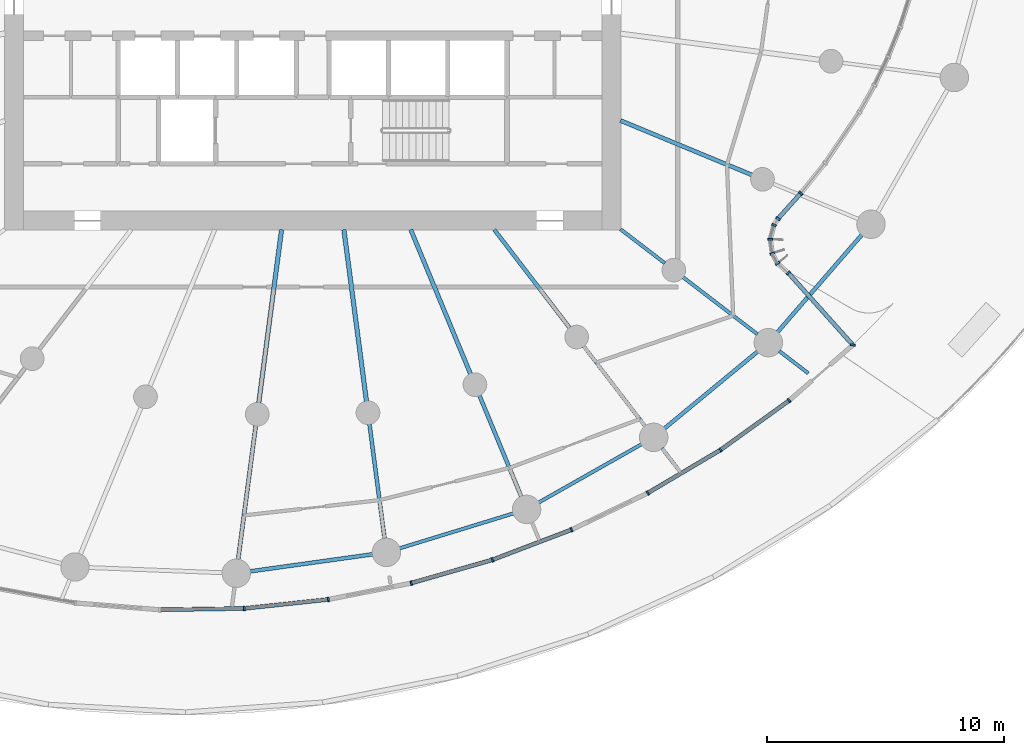
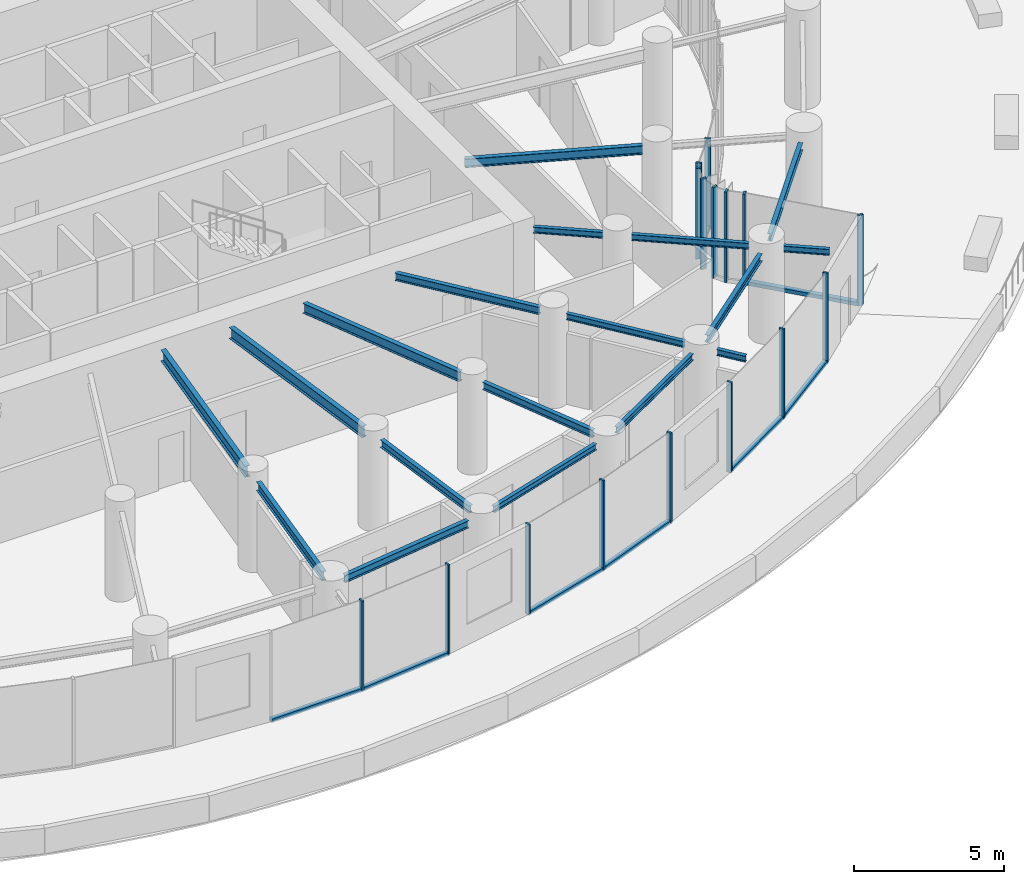
# One storey, part 3 of 24: 24 members, 18 beams, 4 elements without a shape of their own.
"""IFC4 building model written with IfcOpenShell, lengths in metres."""

import ifcopenshell
import ifcopenshell.guid

model = None  # the IFC model being written
_history = None  # IfcOwnerHistory: only IFC2X3 demands one
_inside = {}  # id of a spatial element -> (the spatial element, [elements in it])
_under = {}  # id of a project, library or spatial element -> (it, [spatial elements below it])
_declared = {}  # id of a project -> (the project, [libraries it declares])
_typed = {}  # id of a type object -> (the type object, [elements of that type])
_made_of = {}  # id of a material, layer set ... -> (it, [elements and type objects made of it])


def new_model(schema):
    """Start an empty IFC model of exactly this schema.

    Asked for "IFC4X3", IfcOpenShell would pick the latest addendum, in which some entities
    have other attributes; the version numbers below select the first issue.
    IFC2X3 requires an IfcOwnerHistory on every rooted entity: one is made here for all.
    """
    global model, _history
    if schema == "IFC4X3":
        model = ifcopenshell.file(schema_version=(4, 3, 0, 0))
    else:
        model = ifcopenshell.file(schema=schema)
    _inside.clear()
    _under.clear()
    _declared.clear()
    _typed.clear()
    _made_of.clear()
    _history = None
    if model.schema == "IFC2X3":
        org = make("IfcOrganization", Name="unknown")
        user = make(
            "IfcPersonAndOrganization",
            ThePerson=make("IfcPerson", FamilyName="unknown"),
            TheOrganization=org,
        )
        app = make(
            "IfcApplication",
            ApplicationDeveloper=org,
            Version="unknown",
            ApplicationFullName="unknown",
            ApplicationIdentifier="unknown",
        )
        _history = make(
            "IfcOwnerHistory",
            OwningUser=user,
            OwningApplication=app,
            ChangeAction="ADDED",
            CreationDate=0,
        )
    return model


def make(cls, **values):
    """One entity of the class cls with the attributes given. An attribute that is None is left unset."""
    return model.create_entity(
        cls, **{name: value for name, value in values.items() if value is not None}
    )


def rooted(cls, **values):
    """An entity with a GlobalId (a new one), such as an element, a storey or a relation."""
    return make(cls, GlobalId=ifcopenshell.guid.new(), OwnerHistory=_history, **values)


def si_unit(unit_type, name, prefix=None):
    """IfcSIUnit, for example si_unit("LENGTHUNIT", "METRE", prefix="MILLI")."""
    return make("IfcSIUnit", UnitType=unit_type, Prefix=prefix, Name=name)


def assignment(units):
    """IfcUnitAssignment: the units of a project."""
    return None if units is None else make("IfcUnitAssignment", Units=units)


def point(xyz):
    """IfcCartesianPoint."""
    return None if xyz is None else make("IfcCartesianPoint", Coordinates=xyz)


def direction(xyz):
    """IfcDirection."""
    return None if xyz is None else make("IfcDirection", DirectionRatios=xyz)


def frame(location, z_axis=None, x_axis=None):
    """IfcAxis2Placement3D, a coordinate frame: its origin and axes. An axis left out is left unset."""
    return make(
        "IfcAxis2Placement3D",
        Location=point(location),
        Axis=direction(z_axis),
        RefDirection=direction(x_axis),
    )


def frame_2d(location, x_axis=None):
    """IfcAxis2Placement2D, a coordinate frame in the plane: its origin and x axis."""
    return make(
        "IfcAxis2Placement2D", Location=point(location), RefDirection=direction(x_axis)
    )


def origin():
    """The frame at (0, 0, 0) with its axes left unset."""
    return frame((0.0, 0.0, 0.0))


def origin_2d():
    """The frame at (0, 0) in the plane with its x axis left unset."""
    return frame_2d((0.0, 0.0))


def place(relative_to, where):
    """IfcLocalPlacement: puts the frame where relative to a parent placement (None: the world)."""
    return make(
        "IfcLocalPlacement", PlacementRelTo=relative_to, RelativePlacement=where
    )


def context(
    kind, dimensions, precision=None, world=None, true_north=None, identifier=None
):
    """IfcGeometricRepresentationContext, for example the 3D "Model" context."""
    return make(
        "IfcGeometricRepresentationContext",
        ContextIdentifier=identifier,
        ContextType=kind,
        CoordinateSpaceDimension=dimensions,
        Precision=precision,
        WorldCoordinateSystem=world,
        TrueNorth=true_north,
    )


def subcontext(parent, identifier, kind, view, scale=None):
    """IfcGeometricRepresentationSubContext, for example "Body" below "Model"."""
    return make(
        "IfcGeometricRepresentationSubContext",
        ContextIdentifier=identifier,
        ContextType=kind,
        ParentContext=parent,
        TargetScale=scale,
        TargetView=view,
    )


def project(units=None, contexts=None):
    """IfcProject with its units and contexts."""
    return rooted(
        "IfcProject",
        Name="project",
        RepresentationContexts=contexts,
        UnitsInContext=assignment(units),
    )


def spatial(cls, under=None, at=None, **own):
    """A site, building, storey or space (cls), placed at a placement, below another one or the project."""
    s = rooted(cls, ObjectPlacement=at, **own)
    if under is not None:
        _under.setdefault(under.id(), (under, []))[1].append(s)
    return s


def profile(cls, at=None, kind="AREA", **sizes):
    """A parametric profile (cls). Its sizes go by their IFC names, for example OverallWidth=200.0."""
    return make(cls, ProfileType=kind, Position=at, **sizes)


def rectangle(**sizes):
    """IfcRectangleProfileDef."""
    return profile("IfcRectangleProfileDef", **sizes)


def i_section(**sizes):
    """IfcIShapeProfileDef."""
    return profile("IfcIShapeProfileDef", **sizes)


def extrude(swept, where, along, depth):
    """IfcExtrudedAreaSolid: the profile swept, set in the frame where, extruded along a direction by depth."""
    return make(
        "IfcExtrudedAreaSolid",
        SweptArea=swept,
        Position=where,
        ExtrudedDirection=direction(along),
        Depth=depth,
    )


def shape(context_of_items, identifier, shape_type, items):
    """IfcShapeRepresentation: the items that make up one representation, for example the "Body"."""
    return make(
        "IfcShapeRepresentation",
        ContextOfItems=context_of_items,
        RepresentationIdentifier=identifier,
        RepresentationType=shape_type,
        Items=items,
    )


def source(mapping_origin, context_of_items, identifier, shape_type, items):
    """IfcRepresentationMap: a shape defined once, which mapped items show again and again."""
    return make(
        "IfcRepresentationMap",
        MappingOrigin=mapping_origin,
        MappedRepresentation=shape(context_of_items, identifier, shape_type, items),
    )


def transform(
    local_origin,
    x_axis=None,
    y_axis=None,
    z_axis=None,
    scale=None,
    scale2=None,
    scale3=None,
    uniform=True,
):
    """IfcCartesianTransformationOperator3D, or its non-uniform kind. x_axis, y_axis, z_axis: its Axis1, 2, 3."""
    if uniform:
        return make(
            "IfcCartesianTransformationOperator3D",
            Axis1=direction(x_axis),
            Axis2=direction(y_axis),
            LocalOrigin=point(local_origin),
            Scale=scale,
            Axis3=direction(z_axis),
        )
    return make(
        "IfcCartesianTransformationOperator3DnonUniform",
        Axis1=direction(x_axis),
        Axis2=direction(y_axis),
        LocalOrigin=point(local_origin),
        Scale=scale,
        Axis3=direction(z_axis),
        Scale2=scale2,
        Scale3=scale3,
    )


def mapped(mapping_source, mapping_target):
    """IfcMappedItem: shows the shape of a source again, moved by a transform."""
    return make(
        "IfcMappedItem", MappingSource=mapping_source, MappingTarget=mapping_target
    )


def material(Name=None, Category=None):
    """IfcMaterial."""
    return make("IfcMaterial", Name=Name, Category=Category)


def layer(
    of_material, thickness, ventilated=None, Name=None, Category=None, Priority=None
):
    """IfcMaterialLayer: one layer of a wall or slab, of a material (None: an air gap)."""
    return make(
        "IfcMaterialLayer",
        Material=of_material,
        LayerThickness=thickness,
        IsVentilated=ventilated,
        Name=Name,
        Category=Category,
        Priority=Priority,
    )


def layer_set(layers, Name=None):
    """IfcMaterialLayerSet."""
    return make("IfcMaterialLayerSet", MaterialLayers=layers, LayerSetName=Name)


def material_profile(
    of_material, cross_section, Name=None, Category=None, Priority=None
):
    """IfcMaterialProfile: a cross section and its material."""
    return make(
        "IfcMaterialProfile",
        Name=Name,
        Material=of_material,
        Profile=cross_section,
        Priority=Priority,
        Category=Category,
    )


def profile_set(profiles, Name=None, composite=None):
    """IfcMaterialProfileSet."""
    return make(
        "IfcMaterialProfileSet",
        Name=Name,
        MaterialProfiles=profiles,
        CompositeProfile=composite,
    )


def made_of(thing, what):
    """Note that an element or type object is made of a material, layer set ...; save() writes the relation."""
    if what is not None:
        _made_of.setdefault(what.id(), (what, []))[1].append(thing)
    return thing


def type_object(cls, material=None, **own):
    """A type object (cls), such as IfcWallType, which elements share."""
    return made_of(rooted(cls, **own), material)


def element(
    cls,
    number,
    at=None,
    inside=None,
    cuts=None,
    type_object=None,
    material=None,
    context=None,
    identifier="Body",
    shape_type=None,
    held_by="IfcProductDefinitionShape",
    body=None,
    shapes=None,
    **own,
):
    """One element of the class cls, such as IfcWall. Its Tag is "e" and its number.

    at: its placement. inside: the storey or other place that contains it. cuts: it is an
    opening in that element (IfcRelVoidsElement). A single representation is given by context,
    identifier, shape_type and body (its items); several are given by shapes. held_by: the class
    of the entity that holds the representations. save() writes the other relations.
    """
    e = rooted(cls, Tag="e%d" % number, ObjectPlacement=at, **own)
    if body is not None:
        shapes = [shape(context, identifier, shape_type, body)]
    if shapes is not None:
        e.Representation = make(held_by, Representations=shapes)
    if inside is not None:
        _inside.setdefault(inside.id(), (inside, []))[1].append(e)
    if cuts is not None:
        rooted(
            "IfcRelVoidsElement", RelatingBuildingElement=cuts, RelatedOpeningElement=e
        )
    if type_object is not None:
        _typed.setdefault(type_object.id(), (type_object, []))[1].append(e)
    return made_of(e, material)


def aggregate(whole, parts):
    """IfcRelAggregates: a whole, such as a stair, and the parts it consists of."""
    return rooted("IfcRelAggregates", RelatingObject=whole, RelatedObjects=parts)


def save(model, path):
    """Write the relations noted so far, then the file.

    IfcRelAggregates (storeys below a building ...), IfcRelContainedInSpatialStructure (elements
    in a storey), IfcRelDefinesByType, IfcRelAssociatesMaterial and IfcRelDeclares: one each for
    every whole, place, type object, material and project.
    """
    for whole, parts in _under.values():
        aggregate(whole, parts)
    for where, things in _inside.values():
        rooted(
            "IfcRelContainedInSpatialStructure",
            RelatedElements=things,
            RelatingStructure=where,
        )
    for kind, things in _typed.values():
        rooted("IfcRelDefinesByType", RelatedObjects=things, RelatingType=kind)
    for what, things in _made_of.values():
        rooted("IfcRelAssociatesMaterial", RelatedObjects=things, RelatingMaterial=what)
    for by, libraries in _declared.values():
        rooted("IfcRelDeclares", RelatingContext=by, RelatedDefinitions=libraries)
    model.write(path)


model = new_model("IFC4")

# Units and contexts
model_context = context("Model", 3, precision=1e-05, world=origin(), true_north=direction((0.0, 1.0)))
body_context = subcontext(model_context, "Body", "Model", "MODEL_VIEW")
ifc_project = project(units=[si_unit("LENGTHUNIT", "METRE"), si_unit("AREAUNIT", "SQUARE_METRE"), si_unit("VOLUMEUNIT", "CUBIC_METRE"), si_unit("PLANEANGLEUNIT", "RADIAN"), si_unit("MASSUNIT", "GRAM", prefix="KILO")], contexts=[model_context])

# Site, building, storey
site_placement = place(None, origin())
site = spatial("IfcSite", under=ifc_project, at=site_placement, CompositionType="ELEMENT")
building_placement = place(site_placement, origin())
building = spatial("IfcBuilding", under=site, at=building_placement, Name="Spindrift Exchange Tower", CompositionType="ELEMENT")
storey_placement = place(building_placement, frame((0.0, 0.0, 79.800048828125)))
storey = spatial("IfcBuildingStorey", under=building, at=storey_placement, Name="L18", CompositionType="ELEMENT", Elevation=79.800048828125)

# Beams
ifc_material_1 = material(Name="Steel Grade 300", Category="steel")
ifc_material_profile_1 = material_profile(ifc_material_1, i_section(OverallWidth=0.18994140625, OverallDepth=0.45703125, WebThickness=0.009033203125, FlangeThickness=0.014404296875, FilletRadius=0.013916015625, at=origin_2d()), Name="460UB74.6")
ifc_profile_set_1 = profile_set([ifc_material_profile_1], Name="Steel Grade 300")
beam_type_1 = type_object("IfcBeamType", Name="Floor Beam 460UB74.6 Steel Grade 300", PredefinedType="BEAM", material=ifc_profile_set_1)
shared_shape_1 = source(origin(), body_context, "Body", "SweptSolid", [
    extrude(i_section(OverallWidth=0.18994140625, OverallDepth=0.45703125, WebThickness=0.009033203125, FlangeThickness=0.014404296875, FilletRadius=0.013916015625, at=origin_2d()), origin(), (0.0, 0.0, 1.0), 7.374267578125),
])
beam_1_placement = place(storey_placement, frame((50.68603515625, 38.019775390625, 3.471435546875), z_axis=(-0.130539295622, -0.99144313619, 0.0), x_axis=(0.99144313619, -0.130539295622, 0.0)))
element("IfcBeam", 1, at=beam_1_placement, inside=storey, type_object=beam_type_1, Name="L18 radial beam R18A", PredefinedType="BEAM", context=body_context, shape_type="MappedRepresentation", body=[
    mapped(shared_shape_1, transform((0.0, 0.0, 0.0), scale=1.0)),
])
shared_shape_2 = source(origin(), body_context, "Body", "SweptSolid", [
    extrude(i_section(OverallWidth=0.18994140625, OverallDepth=0.45703125, WebThickness=0.009033203125, FlangeThickness=0.014404296875, FilletRadius=0.013916015625, at=origin_2d()), origin(), (0.0, 0.0, 1.0), 7.3095703125),
])
beam_2_placement = place(storey_placement, frame((53.31396484375, 38.019775390625, 3.471435546875), z_axis=(0.130527087244, -0.991444743541, 0.0), x_axis=(0.991444743541, 0.130527087244, 0.0)))
element("IfcBeam", 2, at=beam_2_placement, inside=storey, type_object=beam_type_1, Name="L18 radial beam R19A", PredefinedType="BEAM", context=body_context, shape_type="MappedRepresentation", body=[
    mapped(shared_shape_2, transform((0.0, 0.0, 0.0), scale=1.0)),
])
ifc_material_profile_2 = material_profile(ifc_material_1, i_section(OverallWidth=0.177978515625, OverallDepth=0.406005859375, WebThickness=0.0078125, FlangeThickness=0.0126953125, FilletRadius=0.013916015625, at=origin_2d()), Name="410UB59.7")
ifc_profile_set_2 = profile_set([ifc_material_profile_2], Name="Steel Grade 300")
beam_type_2 = type_object("IfcBeamType", Name="Floor Beam 410UB59.7 Steel Grade 300", PredefinedType="BEAM", material=ifc_profile_set_2)
shared_shape_3 = source(origin(), body_context, "Body", "SweptSolid", [
    extrude(i_section(OverallWidth=0.177978515625, OverallDepth=0.406005859375, WebThickness=0.0078125, FlangeThickness=0.0126953125, FilletRadius=0.013916015625, at=origin_2d()), origin(), (0.0, 0.0, 1.0), 6.594482421875),
])
beam_3_placement = place(storey_placement, frame((56.134521484375, 38.0185546875, 3.4970703125), z_axis=(0.382692929746, -0.92387559851, 0.0), x_axis=(0.92387559851, 0.382692929746, 0.0)))
element("IfcBeam", 3, at=beam_3_placement, inside=storey, type_object=beam_type_2, Name="L18 radial beam R20A", PredefinedType="BEAM", context=body_context, shape_type="MappedRepresentation", body=[
    mapped(shared_shape_3, transform((0.0, 0.0, 0.0), scale=1.0)),
])
ifc_material_profile_3 = material_profile(ifc_material_1, i_section(OverallWidth=0.1650390625, OverallDepth=0.303955078125, WebThickness=0.006103515625, FlangeThickness=0.01025390625, FilletRadius=0.011474609375, at=origin_2d()), Name="310UB40.4")
ifc_profile_set_3 = profile_set([ifc_material_profile_3], Name="Steel Grade 300")
beam_type_3 = type_object("IfcBeamType", Name="Floor Beam 310UB40.4 Steel Grade 300", PredefinedType="BEAM", material=ifc_profile_set_3)
shared_shape_4 = source(origin(), body_context, "Body", "SweptSolid", [
    extrude(i_section(OverallWidth=0.1650390625, OverallDepth=0.303955078125, WebThickness=0.006103515625, FlangeThickness=0.01025390625, FilletRadius=0.011474609375, at=origin_2d()), origin(), (0.0, 0.0, 1.0), 5.224609375),
])
beam_4_placement = place(storey_placement, frame((59.6611328125, 38.015869140625, 3.5478515625), z_axis=(0.608741499316, -0.793368632485, 0.0), x_axis=(0.793368632485, 0.608741499316, 0.0)))
element("IfcBeam", 4, at=beam_4_placement, inside=storey, type_object=beam_type_3, Name="L18 radial beam R21A", PredefinedType="BEAM", context=body_context, shape_type="MappedRepresentation", body=[
    mapped(shared_shape_4, transform((0.0, 0.0, 0.0), scale=1.0)),
])
ifc_material_profile_4 = material_profile(ifc_material_1, i_section(OverallWidth=0.14599609375, OverallDepth=0.251953125, WebThickness=0.006103515625, FlangeThickness=0.008544921875, FilletRadius=0.011962890625, at=origin_2d()), Name="250UB31.4")
ifc_profile_set_4 = profile_set([ifc_material_profile_4], Name="Steel Grade 300")
beam_type_4 = type_object("IfcBeamType", Name="Floor Beam 250UB31.4 Steel Grade 300", PredefinedType="BEAM", material=ifc_profile_set_4)
shared_shape_5 = source(origin(), body_context, "Body", "SweptSolid", [
    extrude(i_section(OverallWidth=0.14599609375, OverallDepth=0.251953125, WebThickness=0.006103515625, FlangeThickness=0.008544921875, FilletRadius=0.011962890625, at=origin_2d()), origin(), (0.0, 0.0, 1.0), 2.353759765625),
])
beam_5_placement = place(storey_placement, frame((64.984130859375, 38.036865234375, 3.573974609375), z_axis=(0.793367573265, -0.608742879787, 0.0), x_axis=(0.608742879787, 0.793367573265, 0.0)))
element("IfcBeam", 5, at=beam_5_placement, inside=storey, type_object=beam_type_4, Name="L18 radial beam R22A", PredefinedType="BEAM", context=body_context, shape_type="MappedRepresentation", body=[
    mapped(shared_shape_5, transform((0.0, 0.0, 0.0), scale=1.0)),
])
ifc_material_profile_5 = material_profile(ifc_material_1, i_section(OverallWidth=0.172119140625, OverallDepth=0.35888671875, WebThickness=0.008056640625, FlangeThickness=0.012939453125, FilletRadius=0.013916015625, at=origin_2d()), Name="360UB56.7")
ifc_profile_set_5 = profile_set([ifc_material_profile_5], Name="Steel Grade 300")
beam_type_5 = type_object("IfcBeamType", Name="Floor Beam 360UB56.7 Steel Grade 300", PredefinedType="BEAM", material=ifc_profile_set_5)
shared_shape_6 = source(origin(), body_context, "Body", "SweptSolid", [
    extrude(i_section(OverallWidth=0.172119140625, OverallDepth=0.35888671875, WebThickness=0.008056640625, FlangeThickness=0.012939453125, FilletRadius=0.013916015625, at=origin_2d()), origin(), (0.0, 0.0, 1.0), 6.004638671875),
])
beam_6_placement = place(storey_placement, frame((64.9814453125, 42.622802734375, 3.5205078125), z_axis=(0.923882044911, -0.38267736684, 0.0), x_axis=(0.38267736684, 0.923882044911, 0.0)))
element("IfcBeam", 6, at=beam_6_placement, inside=storey, type_object=beam_type_5, Name="L18 radial beam R23A", PredefinedType="BEAM", context=body_context, shape_type="MappedRepresentation", body=[
    mapped(shared_shape_6, transform((0.0, 0.0, 0.0), scale=1.0)),
])
shared_shape_7 = source(origin(), body_context, "Body", "SweptSolid", [
    extrude(i_section(OverallWidth=0.172119140625, OverallDepth=0.35888671875, WebThickness=0.008056640625, FlangeThickness=0.012939453125, FilletRadius=0.013916015625, at=origin_2d()), origin(), (0.0, 0.0, 1.0), 5.70751953125),
])
beam_7_placement = place(storey_placement, frame((49.59814453125, 29.7568359375, 3.5205078125), z_axis=(-0.130507624881, -0.991447305634, 0.0), x_axis=(0.991447305634, -0.130507624881, 0.0)))
element("IfcBeam", 7, at=beam_7_placement, inside=storey, type_object=beam_type_5, Name="L18 radial beam R18B", PredefinedType="BEAM", context=body_context, shape_type="MappedRepresentation", body=[
    mapped(shared_shape_7, transform((0.0, 0.0, 0.0), scale=1.0)),
])
shared_shape_8 = source(origin(), body_context, "Body", "SweptSolid", [
    extrude(i_section(OverallWidth=0.1650390625, OverallDepth=0.303955078125, WebThickness=0.006103515625, FlangeThickness=0.01025390625, FilletRadius=0.011474609375, at=origin_2d()), origin(), (0.0, 0.0, 1.0), 4.883056640625),
])
beam_8_placement = place(storey_placement, frame((54.393310546875, 29.82080078125, 3.5478515625), z_axis=(0.130542457964, -0.991442719812, 0.0), x_axis=(0.991442719812, 0.130542457964, 0.0)))
element("IfcBeam", 8, at=beam_8_placement, inside=storey, type_object=beam_type_3, Name="L18 radial beam R19B", PredefinedType="BEAM", context=body_context, shape_type="MappedRepresentation", body=[
    mapped(shared_shape_8, transform((0.0, 0.0, 0.0), scale=1.0)),
])
shared_shape_9 = source(origin(), body_context, "Body", "SweptSolid", [
    extrude(i_section(OverallWidth=0.1650390625, OverallDepth=0.303955078125, WebThickness=0.006103515625, FlangeThickness=0.01025390625, FilletRadius=0.011474609375, at=origin_2d()), origin(), (0.0, 0.0, 1.0), 4.63671875),
])
beam_9_placement = place(storey_placement, frame((59.025390625, 31.0390625, 3.5478515625), z_axis=(0.382692818086, -0.923875644763, 0.0), x_axis=(0.923875644763, 0.382692818086, 0.0)))
element("IfcBeam", 9, at=beam_9_placement, inside=storey, type_object=beam_type_3, Name="L18 radial beam R20B", PredefinedType="BEAM", context=body_context, shape_type="MappedRepresentation", body=[
    mapped(shared_shape_9, transform((0.0, 0.0, 0.0), scale=1.0)),
])
shared_shape_10 = source(origin(), body_context, "Body", "SweptSolid", [
    extrude(i_section(OverallWidth=0.14599609375, OverallDepth=0.251953125, WebThickness=0.006103515625, FlangeThickness=0.008544921875, FilletRadius=0.011962890625, at=origin_2d()), origin(), (0.0, 0.0, 1.0), 4.27587890625),
])
beam_10_placement = place(storey_placement, frame((63.426025390625, 33.109375, 3.573974609375), z_axis=(0.608725184746, -0.793381150177, 0.0), x_axis=(0.793381150177, 0.608725184746, 0.0)))
element("IfcBeam", 10, at=beam_10_placement, inside=storey, type_object=beam_type_4, Name="L18 radial beam R21B", PredefinedType="BEAM", context=body_context, shape_type="MappedRepresentation", body=[
    mapped(shared_shape_10, transform((0.0, 0.0, 0.0), scale=1.0)),
])
ifc_material_profile_6 = material_profile(ifc_material_1, i_section(OverallWidth=0.14599609375, OverallDepth=0.251953125, WebThickness=0.006103515625, FlangeThickness=0.008544921875, FilletRadius=0.011962890625, at=origin_2d()), Name="250UB31.4")
ifc_profile_set_6 = profile_set([ifc_material_profile_6], Name="Steel Grade 300")
beam_type_6 = type_object("IfcBeamType", Name="Cantilever Beam 250UB31.4 Steel Grade 300", PredefinedType="BEAM", material=ifc_profile_set_6)
shared_shape_11 = source(origin(), body_context, "Body", "SweptSolid", [
    extrude(i_section(OverallWidth=0.14599609375, OverallDepth=0.251953125, WebThickness=0.006103515625, FlangeThickness=0.008544921875, FilletRadius=0.011962890625, at=origin_2d()), origin(), (0.0, 0.0, 1.0), 1.0537109375),
])
beam_11_placement = place(storey_placement, frame((66.735107421875, 28.796875, 3.573974609375), z_axis=(0.608859474519, -0.793278097699, 0.0), x_axis=(0.793278097699, 0.608859474519, 0.0)))
element("IfcBeam", 11, at=beam_11_placement, inside=storey, type_object=beam_type_6, Name="L18 cantilever beam R21T", PredefinedType="BEAM", context=body_context, shape_type="MappedRepresentation", body=[
    mapped(shared_shape_11, transform((0.0, 0.0, 0.0), scale=1.0)),
])
shared_shape_12 = source(origin(), body_context, "Body", "SweptSolid", [
    extrude(i_section(OverallWidth=0.14599609375, OverallDepth=0.251953125, WebThickness=0.006103515625, FlangeThickness=0.008544921875, FilletRadius=0.011962890625, at=origin_2d()), origin(), (0.0, 0.0, 1.0), 3.966064453125),
])
beam_12_placement = place(storey_placement, frame((67.61328125, 36.01953125, 3.573974609375), z_axis=(0.79336256318, -0.608749409318, 0.0), x_axis=(0.608749409318, 0.79336256318, 0.0)))
element("IfcBeam", 12, at=beam_12_placement, inside=storey, type_object=beam_type_4, Name="L18 radial beam R22B", PredefinedType="BEAM", context=body_context, shape_type="MappedRepresentation", body=[
    mapped(shared_shape_12, transform((0.0, 0.0, 0.0), scale=1.0)),
])
shared_shape_13 = source(origin(), body_context, "Body", "SweptSolid", [
    extrude(i_section(OverallWidth=0.14599609375, OverallDepth=0.251953125, WebThickness=0.006103515625, FlangeThickness=0.008544921875, FilletRadius=0.011962890625, at=origin_2d()), origin(), (0.0, 0.0, 1.0), 1.548095703125),
])
beam_13_placement = place(storey_placement, frame((71.679931640625, 32.89892578125, 3.573974609375), z_axis=(0.793385485775, -0.608719533908, 0.0), x_axis=(0.608719533908, 0.793385485775, 0.0)))
element("IfcBeam", 13, at=beam_13_placement, inside=storey, type_object=beam_type_6, Name="L18 cantilever beam R22T", PredefinedType="BEAM", context=body_context, shape_type="MappedRepresentation", body=[
    mapped(shared_shape_13, transform((0.0, 0.0, 0.0), scale=1.0)),
])
ifc_material_profile_7 = material_profile(ifc_material_1, i_section(OverallWidth=0.1650390625, OverallDepth=0.303955078125, WebThickness=0.006103515625, FlangeThickness=0.01025390625, FilletRadius=0.011474609375, at=origin_2d()), Name="310UB40.4")
ifc_profile_set_7 = profile_set([ifc_material_profile_7], Name="Steel Grade 300")
beam_type_7 = type_object("IfcBeamType", Name="Edge Beam 310UB40.4 Steel Grade 300", PredefinedType="SPANDREL", material=ifc_profile_set_7)
shared_shape_14 = source(origin(), body_context, "Body", "SweptSolid", [
    extrude(i_section(OverallWidth=0.1650390625, OverallDepth=0.303955078125, WebThickness=0.006103515625, FlangeThickness=0.01025390625, FilletRadius=0.011474609375, at=origin_2d()), origin(), (0.0, 0.0, 1.0), 5.22998046875),
])
beam_14_placement = place(storey_placement, frame((49.35205078125, 23.603271484375, 3.5478515625), z_axis=(0.990440078597, 0.137943650481, 0.0), x_axis=(-0.137943650481, 0.990440078597, 0.0)))
element("IfcBeam", 14, at=beam_14_placement, inside=storey, type_object=beam_type_7, Name="L18 edge beam E18", PredefinedType="SPANDREL", context=body_context, shape_type="MappedRepresentation", body=[
    mapped(shared_shape_14, transform((0.0, 0.0, 0.0), scale=1.0)),
])
ifc_material_profile_8 = material_profile(ifc_material_1, i_section(OverallWidth=0.14599609375, OverallDepth=0.251953125, WebThickness=0.006103515625, FlangeThickness=0.008544921875, FilletRadius=0.011962890625, at=origin_2d()), Name="250UB31.4")
ifc_profile_set_8 = profile_set([ifc_material_profile_8], Name="Steel Grade 300")
beam_type_8 = type_object("IfcBeamType", Name="Edge Beam 250UB31.4 Steel Grade 300", PredefinedType="SPANDREL", material=ifc_profile_set_8)
shared_shape_15 = source(origin(), body_context, "Body", "SweptSolid", [
    extrude(i_section(OverallWidth=0.14599609375, OverallDepth=0.251953125, WebThickness=0.006103515625, FlangeThickness=0.008544921875, FilletRadius=0.011962890625, at=origin_2d()), origin(), (0.0, 0.0, 1.0), 5.027587890625),
])
beam_15_placement = place(storey_placement, frame((55.660888671875, 24.57470703125, 3.573974609375), z_axis=(0.956018084082, 0.293307727325, 0.0), x_axis=(-0.293307727325, 0.956018084082, 0.0)))
element("IfcBeam", 15, at=beam_15_placement, inside=storey, type_object=beam_type_8, Name="L18 edge beam E19", PredefinedType="SPANDREL", context=body_context, shape_type="MappedRepresentation", body=[
    mapped(shared_shape_15, transform((0.0, 0.0, 0.0), scale=1.0)),
])
shared_shape_16 = source(origin(), body_context, "Body", "SweptSolid", [
    extrude(i_section(OverallWidth=0.14599609375, OverallDepth=0.251953125, WebThickness=0.006103515625, FlangeThickness=0.008544921875, FilletRadius=0.011962890625, at=origin_2d()), origin(), (0.0, 0.0, 1.0), 5.0009765625),
])
beam_16_placement = place(storey_placement, frame((61.5263671875, 26.505615234375, 3.573974609375), z_axis=(0.870045916697, 0.492970691663, 0.0), x_axis=(-0.492970691663, 0.870045916697, 0.0)))
element("IfcBeam", 16, at=beam_16_placement, inside=storey, type_object=beam_type_8, Name="L18 edge beam E20", PredefinedType="SPANDREL", context=body_context, shape_type="MappedRepresentation", body=[
    mapped(shared_shape_16, transform((0.0, 0.0, 0.0), scale=1.0)),
])
shared_shape_17 = source(origin(), body_context, "Body", "SweptSolid", [
    extrude(i_section(OverallWidth=0.1650390625, OverallDepth=0.303955078125, WebThickness=0.006103515625, FlangeThickness=0.01025390625, FilletRadius=0.011474609375, at=origin_2d()), origin(), (0.0, 0.0, 1.0), 5.114501953125),
])
beam_17_placement = place(storey_placement, frame((66.8291015625, 29.626220703125, 3.5478515625), z_axis=(0.771073837992, 0.63674573918, 0.0), x_axis=(-0.63674573918, 0.771073837992, 0.0)))
element("IfcBeam", 17, at=beam_17_placement, inside=storey, type_object=beam_type_7, Name="L18 edge beam E21", PredefinedType="SPANDREL", context=body_context, shape_type="MappedRepresentation", body=[
    mapped(shared_shape_17, transform((0.0, 0.0, 0.0), scale=1.0)),
])
shared_shape_18 = source(origin(), body_context, "Body", "SweptSolid", [
    extrude(i_section(OverallWidth=0.1650390625, OverallDepth=0.303955078125, WebThickness=0.006103515625, FlangeThickness=0.01025390625, FilletRadius=0.011474609375, at=origin_2d()), origin(), (0.0, 0.0, 1.0), 5.448486328125),
])
beam_18_placement = place(storey_placement, frame((71.599609375, 33.6904296875, 3.5478515625), z_axis=(0.654922008827, 0.755696475018, 0.0), x_axis=(-0.755696475018, 0.654922008827, 0.0)))
element("IfcBeam", 18, at=beam_18_placement, inside=storey, type_object=beam_type_7, Name="L18 edge beam E22", PredefinedType="SPANDREL", context=body_context, shape_type="MappedRepresentation", body=[
    mapped(shared_shape_18, transform((0.0, 0.0, 0.0), scale=1.0)),
])

# Curtain wall, members
ifc_material_2 = material(Name="Fritted laminated glass with bronze frame", Category="glass")
ifc_layer_1 = layer(ifc_material_2, 0.18994140625)
ifc_layer_set_1 = layer_set([ifc_layer_1], Name="ZONE 2 BRONZE FRITTED WALL")
curtain_wall_type_1 = type_object("IfcCurtainWallType", Name="ZONE 2 BRONZE FRITTED WALL", PredefinedType="NOTDEFINED", material=ifc_layer_set_1)
curtain_wall_1_placement = place(storey_placement, origin())
curtain_wall_1 = element("IfcCurtainWall", 19, at=curtain_wall_1_placement, inside=storey, type_object=curtain_wall_type_1, Name="L18 Zone 2 Bronze Fritted Wall run 5", PredefinedType="NOTDEFINED")
ifc_material_3 = material(Name="Bronze anodised aluminium", Category="aluminium")
ifc_material_profile_9 = material_profile(ifc_material_3, rectangle(XDim=0.074951171875, YDim=0.18994140625, at=origin_2d()), Name="ZONE 2 BRONZE FRITTED WALL MULLION 75X190")
ifc_profile_set_9 = profile_set([ifc_material_profile_9], Name="Bronze anodised aluminium")
member_type_1 = type_object("IfcMemberType", Name="ZONE 2 BRONZE FRITTED WALL MULLION 75X190", PredefinedType="MULLION", material=ifc_profile_set_9)
shared_shape_19 = source(origin(), body_context, "Body", "SweptSolid", [
    extrude(rectangle(XDim=0.074951171875, YDim=0.18994140625, at=origin_2d()), origin(), (0.0, 0.0, 1.0), 3.699951171875),
])
member_1_placement = place(storey_placement, frame((49.111328125, 22.040283203125, 0.0), z_axis=(0.0, 0.0, 1.0), x_axis=(0.998126272836, 0.06118777226, 0.0)))
member_1 = element("IfcMember", 20, at=member_1_placement, type_object=member_type_1, Name="L18 mullion CW-2.28", PredefinedType="MULLION", context=body_context, shape_type="MappedRepresentation", body=[
    mapped(shared_shape_19, transform((0.0, 0.0, 0.0), scale=1.0)),
])
member_2_placement = place(storey_placement, frame((52.65771484375, 22.42041015625, 0.0), z_axis=(0.0, 0.0, 1.0), x_axis=(0.988691670903, 0.149962594962, 0.0)))
member_2 = element("IfcMember", 21, at=member_2_placement, type_object=member_type_1, Name="L18 mullion CW-2.29", PredefinedType="MULLION", context=body_context, shape_type="MappedRepresentation", body=[
    mapped(shared_shape_19, transform((0.0, 0.0, 0.0), scale=1.0)),
])
member_3_placement = place(storey_placement, frame((56.1572265625, 23.10888671875, 0.0), z_axis=(0.0, 0.0, 1.0), x_axis=(0.972067016096, 0.234703464435, 0.0)))
member_3 = element("IfcMember", 22, at=member_3_placement, type_object=member_type_1, Name="L18 mullion CW-2.30", PredefinedType="MULLION", context=body_context, shape_type="MappedRepresentation", body=[
    mapped(shared_shape_19, transform((0.0, 0.0, 0.0), scale=1.0)),
])

curtain_wall_2_placement = place(storey_placement, origin())
curtain_wall_2 = element("IfcCurtainWall", 23, at=curtain_wall_2_placement, inside=storey, type_object=curtain_wall_type_1, Name="L18 Zone 2 Bronze Fritted Wall run 6", PredefinedType="NOTDEFINED")
member_4_placement = place(storey_placement, frame((59.58544921875, 24.093017578125, 0.0), z_axis=(0.0, 0.0, 1.0), x_axis=(0.948700222288, 0.316176988775, 0.0)))
member_4 = element("IfcMember", 24, at=member_4_placement, type_object=member_type_1, Name="L18 mullion CW-2.31", PredefinedType="MULLION", context=body_context, shape_type="MappedRepresentation", body=[
    mapped(shared_shape_19, transform((0.0, 0.0, 0.0), scale=1.0)),
])
member_5_placement = place(storey_placement, frame((62.918701171875, 25.3623046875, 0.0), z_axis=(0.0, 0.0, 1.0), x_axis=(0.91863616734, 0.395104533072, 0.0)))
member_5 = element("IfcMember", 25, at=member_5_placement, type_object=member_type_1, Name="L18 mullion CW-2.32", PredefinedType="MULLION", context=body_context, shape_type="MappedRepresentation", body=[
    mapped(shared_shape_19, transform((0.0, 0.0, 0.0), scale=1.0)),
])
member_6_placement = place(storey_placement, frame((66.132568359375, 26.908935546875, 0.0), z_axis=(0.0, 0.0, 1.0), x_axis=(0.881566101706, 0.472060598146, 0.0)))
member_6 = element("IfcMember", 26, at=member_6_placement, type_object=member_type_1, Name="L18 mullion CW-2.33", PredefinedType="MULLION", context=body_context, shape_type="MappedRepresentation", body=[
    mapped(shared_shape_19, transform((0.0, 0.0, 0.0), scale=1.0)),
])
member_7_placement = place(storey_placement, frame((69.201171875, 28.7265625, 0.0), z_axis=(0.0, 0.0, 1.0), x_axis=(0.83685007858, 0.547432138242, 0.0)))
member_7 = element("IfcMember", 27, at=member_7_placement, type_object=member_type_1, Name="L18 mullion CW-2.34", PredefinedType="MULLION", context=body_context, shape_type="MappedRepresentation", body=[
    mapped(shared_shape_19, transform((0.0, 0.0, 0.0), scale=1.0)),
])
member_8_placement = place(storey_placement, frame((72.095947265625, 30.81005859375, 0.0), z_axis=(0.0, 0.0, 1.0), x_axis=(0.783460362809, 0.621441759062, 0.0)))
member_8 = element("IfcMember", 28, at=member_8_placement, type_object=member_type_1, Name="L18 mullion CW-2.35", PredefinedType="MULLION", context=body_context, shape_type="MappedRepresentation", body=[
    mapped(shared_shape_19, transform((0.0, 0.0, 0.0), scale=1.0)),
])

# Member
ifc_material_profile_10 = material_profile(ifc_material_3, rectangle(XDim=0.169921875, YDim=0.139892578125, at=origin_2d()), Name="ZONE 2 BRONZE FRITTED WALL TRANSOM 170X140")
ifc_profile_set_10 = profile_set([ifc_material_profile_10], Name="Bronze anodised aluminium")
member_type_2 = type_object("IfcMemberType", Name="ZONE 2 BRONZE FRITTED WALL TRANSOM 170X140", PredefinedType="USERDEFINED", material=ifc_profile_set_10)
shared_shape_20 = source(origin(), body_context, "Body", "SweptSolid", [
    extrude(rectangle(XDim=0.169921875, YDim=0.139892578125, at=origin_2d()), origin(), (0.0, 0.0, 1.0), 3.49169921875),
])
member_9_placement = place(storey_placement, frame((49.148681640625, 22.044189453125, 0.070068359375), z_axis=(0.994298568051, 0.106631878782, 0.0), x_axis=(-0.106631878782, 0.994298568051, 0.0)))
member_9 = element("IfcMember", 29, at=member_9_placement, type_object=member_type_2, Name="L18 transom CW-2.28", ObjectType="TRANSOM", PredefinedType="USERDEFINED", context=body_context, shape_type="MappedRepresentation", body=[
    mapped(shared_shape_20, transform((0.0, 0.0, 0.0), scale=1.0)),
])

member_10_placement = place(storey_placement, frame((59.620361328125, 24.1064453125, 0.070068359375), z_axis=(0.934529817912, 0.355884840129, 0.0), x_axis=(-0.355884840129, 0.934529817912, 0.0)))
member_10 = element("IfcMember", 30, at=member_10_placement, type_object=member_type_2, Name="L18 transom CW-2.31", ObjectType="TRANSOM", PredefinedType="USERDEFINED", context=body_context, shape_type="MappedRepresentation", body=[
    mapped(shared_shape_20, transform((0.0, 0.0, 0.0), scale=1.0)),
])

shared_shape_21 = source(origin(), body_context, "Body", "SweptSolid", [
    extrude(rectangle(XDim=0.169921875, YDim=0.139892578125, at=origin_2d()), origin(), (0.0, 0.0, 1.0), 3.491455078125),
])
member_11_placement = place(storey_placement, frame((45.5830078125, 21.985107421875, 0.070068359375), z_axis=(0.999877319713, 0.015663509309, 0.0), x_axis=(-0.015663509309, 0.999877319713, 0.0)))
member_11 = element("IfcMember", 31, at=member_11_placement, type_object=member_type_2, Name="L18 transom CW-2.27", ObjectType="TRANSOM", PredefinedType="USERDEFINED", context=body_context, shape_type="MappedRepresentation", body=[
    mapped(shared_shape_21, transform((0.0, 0.0, 0.0), scale=1.0)),
])

member_12_placement = place(storey_placement, frame((56.193359375, 23.119384765625, 0.070068359375), z_axis=(0.961180172961, 0.27592150171, 0.0), x_axis=(-0.27592150171, 0.961180172961, 0.0)))
member_12 = element("IfcMember", 32, at=member_12_placement, type_object=member_type_2, Name="L18 transom CW-2.30", ObjectType="TRANSOM", PredefinedType="USERDEFINED", context=body_context, shape_type="MappedRepresentation", body=[
    mapped(shared_shape_21, transform((0.0, 0.0, 0.0), scale=1.0)),
])

aggregate(curtain_wall_1, [member_11, member_1, member_9, member_2, member_3, member_12])

member_13_placement = place(storey_placement, frame((66.164794921875, 26.92822265625, 0.070068359375), z_axis=(0.860409635246, 0.509603041176, 0.0), x_axis=(-0.509603041176, 0.860409635246, 0.0)))
member_13 = element("IfcMember", 33, at=member_13_placement, type_object=member_type_2, Name="L18 transom CW-2.33", ObjectType="TRANSOM", PredefinedType="USERDEFINED", context=body_context, shape_type="MappedRepresentation", body=[
    mapped(shared_shape_21, transform((0.0, 0.0, 0.0), scale=1.0)),
])

member_14_placement = place(storey_placement, frame((69.231689453125, 28.74853515625, 0.070068359375), z_axis=(0.811635129423, 0.584164717085, 0.0), x_axis=(-0.584164717085, 0.811635129423, 0.0)))
member_14 = element("IfcMember", 34, at=member_14_placement, type_object=member_type_2, Name="L18 transom CW-2.34", ObjectType="TRANSOM", PredefinedType="USERDEFINED", context=body_context, shape_type="MappedRepresentation", body=[
    mapped(shared_shape_21, transform((0.0, 0.0, 0.0), scale=1.0)),
])

aggregate(curtain_wall_2, [member_4, member_10, member_5, member_6, member_13, member_7, member_14, member_8])

# Curtain wall, members
ifc_layer_2 = layer(ifc_material_2, 0.199951171875)
ifc_layer_set_2 = layer_set([ifc_layer_2], Name="SKY GARDEN BRONZE GLAZED WALL")
curtain_wall_type_2 = type_object("IfcCurtainWallType", Name="SKY GARDEN BRONZE GLAZED WALL", PredefinedType="NOTDEFINED", material=ifc_layer_set_2)
curtain_wall_3_placement = place(storey_placement, origin())
curtain_wall_3 = element("IfcCurtainWall", 35, at=curtain_wall_3_placement, inside=storey, type_object=curtain_wall_type_2, Name="L18 Sky Garden Bronze Glazed Wall run 7", PredefinedType="NOTDEFINED")
ifc_material_profile_11 = material_profile(ifc_material_3, rectangle(XDim=0.0849609375, YDim=0.199951171875, at=origin_2d()), Name="SKY GARDEN BRONZE GLAZED WALL MULLION 85X200")
ifc_profile_set_11 = profile_set([ifc_material_profile_11], Name="Bronze anodised aluminium")
member_type_3 = type_object("IfcMemberType", Name="SKY GARDEN BRONZE GLAZED WALL MULLION 85X200", PredefinedType="MULLION", material=ifc_profile_set_11)
shared_shape_22 = source(origin(), body_context, "Body", "SweptSolid", [
    extrude(rectangle(XDim=0.0849609375, YDim=0.199951171875, at=origin_2d()), origin(), (0.0, 0.0, 1.0), 3.699951171875),
])
member_15_placement = place(storey_placement, frame((74.783447265625, 33.154296875, 0.0), z_axis=(0.0, 0.0, 1.0), x_axis=(0.061484581141, 0.998108033372, 0.0)))
member_15 = element("IfcMember", 36, at=member_15_placement, type_object=member_type_3, Name="L18 mullion CW-G.36", PredefinedType="MULLION", context=body_context, shape_type="MappedRepresentation", body=[
    mapped(shared_shape_22, transform((0.0, 0.0, 0.0), scale=1.0)),
])
member_16_placement = place(storey_placement, frame((72.064697265625, 36.189697265625, 0.0), z_axis=(0.0, 0.0, 1.0), x_axis=(-0.707561109411, 0.706652160861, 0.0)))
member_16 = element("IfcMember", 37, at=member_16_placement, type_object=member_type_3, Name="L18 mullion CW-G.37", PredefinedType="MULLION", context=body_context, shape_type="MappedRepresentation", body=[
    mapped(shared_shape_22, transform((0.0, 0.0, 0.0), scale=1.0)),
])
member_17_placement = place(storey_placement, frame((71.60693359375, 36.5986328125, 0.0), z_axis=(0.0, 0.0, 1.0), x_axis=(-0.617933568029, 0.786230313269, 0.0)))
member_17 = element("IfcMember", 38, at=member_17_placement, type_object=member_type_3, Name="L18 mullion CW-G.38", PredefinedType="MULLION", context=body_context, shape_type="MappedRepresentation", body=[
    mapped(shared_shape_22, transform((0.0, 0.0, 0.0), scale=1.0)),
])
member_18_placement = place(storey_placement, frame((71.38623046875, 37.01171875, 0.0), z_axis=(0.0, 0.0, 1.0), x_axis=(-0.310330538197, 0.950628716725, 0.0)))
member_18 = element("IfcMember", 39, at=member_18_placement, type_object=member_type_3, Name="L18 mullion CW-G.39", PredefinedType="MULLION", context=body_context, shape_type="MappedRepresentation", body=[
    mapped(shared_shape_22, transform((0.0, 0.0, 0.0), scale=1.0)),
])
member_19_placement = place(storey_placement, frame((71.30078125, 37.616943359375, 0.0), z_axis=(0.0, 0.0, 1.0), x_axis=(0.058774166377, 0.998271304489, 0.0)))
member_19 = element("IfcMember", 40, at=member_19_placement, type_object=member_type_3, Name="L18 mullion CW-G.40", PredefinedType="MULLION", context=body_context, shape_type="MappedRepresentation", body=[
    mapped(shared_shape_22, transform((0.0, 0.0, 0.0), scale=1.0)),
])
member_20_placement = place(storey_placement, frame((71.4580078125, 38.212890625, 0.0), z_axis=(0.0, 0.0, 1.0), x_axis=(0.397694041578, 0.917518092079, 0.0)))
member_20 = element("IfcMember", 41, at=member_20_placement, type_object=member_type_3, Name="L18 mullion CW-G.41", PredefinedType="MULLION", context=body_context, shape_type="MappedRepresentation", body=[
    mapped(shared_shape_22, transform((0.0, 0.0, 0.0), scale=1.0)),
])

curtain_wall_4_placement = place(storey_placement, origin())
curtain_wall_4 = element("IfcCurtainWall", 42, at=curtain_wall_4_placement, inside=storey, type_object=curtain_wall_type_2, Name="L18 Sky Garden Bronze Glazed Wall run 8", PredefinedType="NOTDEFINED")
member_21_placement = place(storey_placement, frame((71.625, 38.4794921875, 0.0), z_axis=(0.0, 0.0, 1.0), x_axis=(0.601245966372, 0.7990640074, 0.0)))
member_21 = element("IfcMember", 43, at=member_21_placement, type_object=member_type_3, Name="L18 mullion CW-G.42", PredefinedType="MULLION", context=body_context, shape_type="MappedRepresentation", body=[
    mapped(shared_shape_22, transform((0.0, 0.0, 0.0), scale=1.0)),
])
member_22_placement = place(storey_placement, frame((72.587646484375, 39.554443359375, 0.0), z_axis=(0.0, 0.0, 1.0), x_axis=(0.647260336744, 0.762269018443, 0.0)))
member_22 = element("IfcMember", 44, at=member_22_placement, type_object=member_type_3, Name="L18 mullion CW-G.43", PredefinedType="MULLION", context=body_context, shape_type="MappedRepresentation", body=[
    mapped(shared_shape_22, transform((0.0, 0.0, 0.0), scale=1.0)),
])

# Member
ifc_material_profile_12 = material_profile(ifc_material_3, rectangle(XDim=0.179931640625, YDim=0.14990234375, at=origin_2d()), Name="SKY GARDEN BRONZE GLAZED WALL TRANSOM 180X150")
ifc_profile_set_12 = profile_set([ifc_material_profile_12], Name="Bronze anodised aluminium")
member_type_4 = type_object("IfcMemberType", Name="SKY GARDEN BRONZE GLAZED WALL TRANSOM 180X150", PredefinedType="USERDEFINED", material=ifc_profile_set_12)
shared_shape_23 = source(origin(), body_context, "Body", "SweptSolid", [
    extrude(rectangle(XDim=0.179931640625, YDim=0.14990234375, at=origin_2d()), origin(), (0.0, 0.0, 1.0), 3.989990234375),
])
member_23_placement = place(storey_placement, frame((74.755126953125, 33.18603515625, 0.074951171875), z_axis=(-0.667215081215, 0.744865112218, 0.0), x_axis=(-0.744865112218, -0.667215081215, 0.0)))
member_23 = element("IfcMember", 45, at=member_23_placement, type_object=member_type_4, Name="L18 transom CW-G.36", ObjectType="TRANSOM", PredefinedType="USERDEFINED", context=body_context, shape_type="MappedRepresentation", body=[
    mapped(shared_shape_23, transform((0.0, 0.0, 0.0), scale=1.0)),
])

aggregate(curtain_wall_3, [member_15, member_23, member_16, member_17, member_18, member_19, member_20])

shared_shape_24 = source(origin(), body_context, "Body", "SweptSolid", [
    extrude(rectangle(XDim=0.179931640625, YDim=0.14990234375, at=origin_2d()), origin(), (0.0, 0.0, 1.0), 1.35791015625),
])
member_24_placement = place(storey_placement, frame((71.653564453125, 38.510986328125, 0.074951171875), z_axis=(0.667015555255, 0.74504379002, 0.0), x_axis=(-0.74504379002, 0.667015555255, 0.0)))
member_24 = element("IfcMember", 46, at=member_24_placement, type_object=member_type_4, Name="L18 transom CW-G.42", ObjectType="TRANSOM", PredefinedType="USERDEFINED", context=body_context, shape_type="MappedRepresentation", body=[
    mapped(shared_shape_24, transform((0.0, 0.0, 0.0), scale=1.0)),
])

aggregate(curtain_wall_4, [member_21, member_24, member_22])

save(model, "model.ifc")
